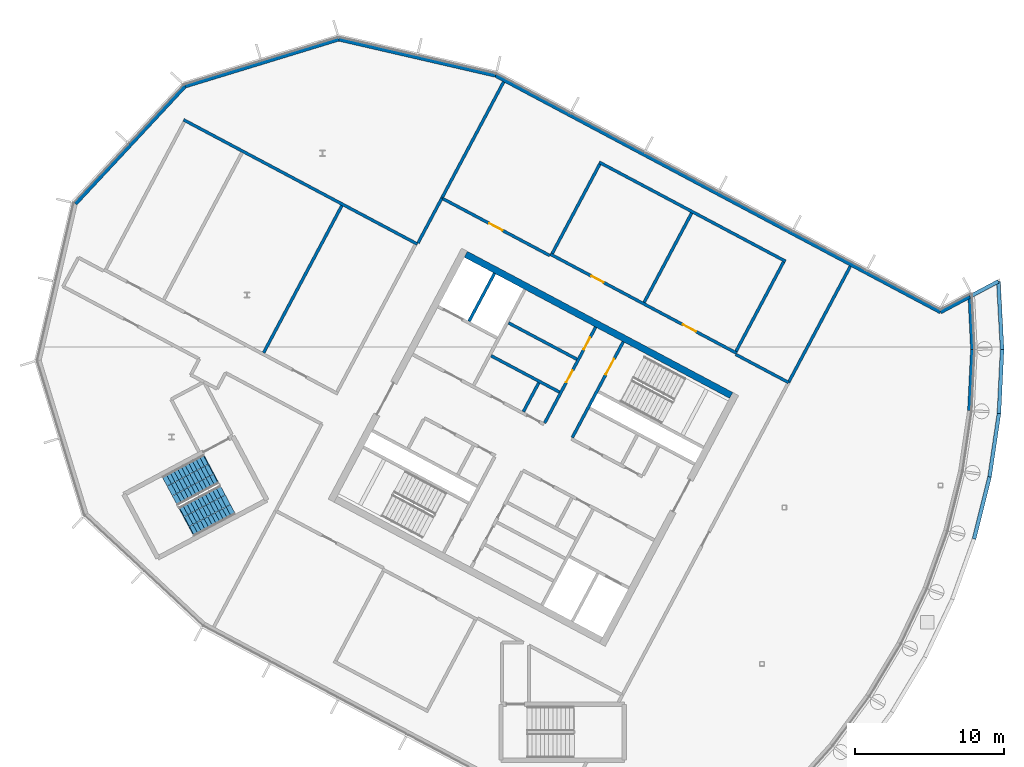
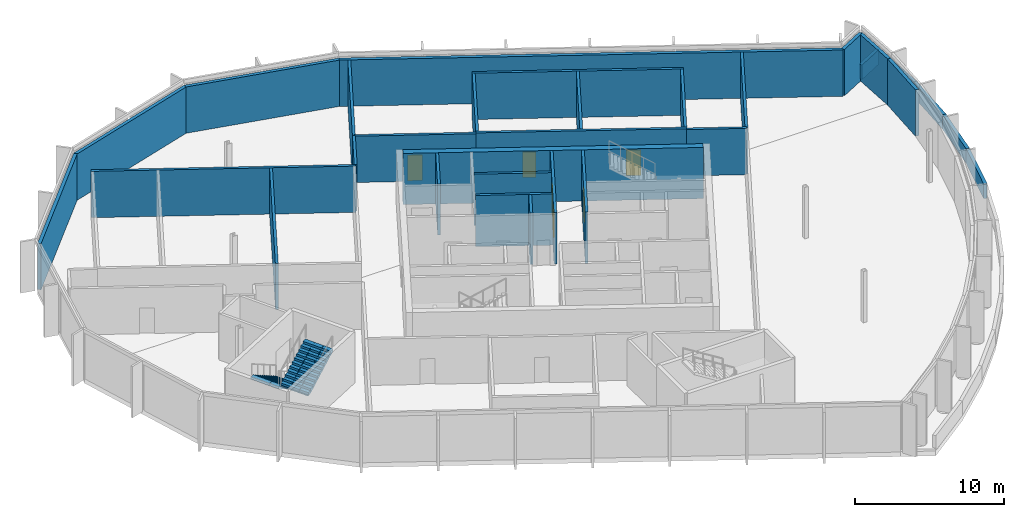
# One storey, part 8 of 15: 31 walls, 6 doors, 2 stair flights, 6 openings, 1 element without a shape of its own.
"""IFC4 building model written with IfcOpenShell, lengths in metres."""

import ifcopenshell
import ifcopenshell.guid

model = None  # the IFC model being written
_history = None  # IfcOwnerHistory: only IFC2X3 demands one
_inside = {}  # id of a spatial element -> (the spatial element, [elements in it])
_under = {}  # id of a project, library or spatial element -> (it, [spatial elements below it])
_declared = {}  # id of a project -> (the project, [libraries it declares])
_typed = {}  # id of a type object -> (the type object, [elements of that type])
_made_of = {}  # id of a material, layer set ... -> (it, [elements and type objects made of it])


def new_model(schema):
    """Start an empty IFC model of exactly this schema.

    Asked for "IFC4X3", IfcOpenShell would pick the latest addendum, in which some entities
    have other attributes; the version numbers below select the first issue.
    IFC2X3 requires an IfcOwnerHistory on every rooted entity: one is made here for all.
    """
    global model, _history
    if schema == "IFC4X3":
        model = ifcopenshell.file(schema_version=(4, 3, 0, 0))
    else:
        model = ifcopenshell.file(schema=schema)
    _inside.clear()
    _under.clear()
    _declared.clear()
    _typed.clear()
    _made_of.clear()
    _history = None
    if model.schema == "IFC2X3":
        org = make("IfcOrganization", Name="unknown")
        user = make(
            "IfcPersonAndOrganization",
            ThePerson=make("IfcPerson", FamilyName="unknown"),
            TheOrganization=org,
        )
        app = make(
            "IfcApplication",
            ApplicationDeveloper=org,
            Version="unknown",
            ApplicationFullName="unknown",
            ApplicationIdentifier="unknown",
        )
        _history = make(
            "IfcOwnerHistory",
            OwningUser=user,
            OwningApplication=app,
            ChangeAction="ADDED",
            CreationDate=0,
        )
    return model


def make(cls, **values):
    """One entity of the class cls with the attributes given. An attribute that is None is left unset."""
    return model.create_entity(
        cls, **{name: value for name, value in values.items() if value is not None}
    )


def rooted(cls, **values):
    """An entity with a GlobalId (a new one), such as an element, a storey or a relation."""
    return make(cls, GlobalId=ifcopenshell.guid.new(), OwnerHistory=_history, **values)


def si_unit(unit_type, name, prefix=None):
    """IfcSIUnit, for example si_unit("LENGTHUNIT", "METRE", prefix="MILLI")."""
    return make("IfcSIUnit", UnitType=unit_type, Prefix=prefix, Name=name)


def assignment(units):
    """IfcUnitAssignment: the units of a project."""
    return None if units is None else make("IfcUnitAssignment", Units=units)


def point(xyz):
    """IfcCartesianPoint."""
    return None if xyz is None else make("IfcCartesianPoint", Coordinates=xyz)


def direction(xyz):
    """IfcDirection."""
    return None if xyz is None else make("IfcDirection", DirectionRatios=xyz)


def frame(location, z_axis=None, x_axis=None):
    """IfcAxis2Placement3D, a coordinate frame: its origin and axes. An axis left out is left unset."""
    return make(
        "IfcAxis2Placement3D",
        Location=point(location),
        Axis=direction(z_axis),
        RefDirection=direction(x_axis),
    )


def frame_2d(location, x_axis=None):
    """IfcAxis2Placement2D, a coordinate frame in the plane: its origin and x axis."""
    return make(
        "IfcAxis2Placement2D", Location=point(location), RefDirection=direction(x_axis)
    )


def origin():
    """The frame at (0, 0, 0) with its axes left unset."""
    return frame((0.0, 0.0, 0.0))


def place(relative_to, where):
    """IfcLocalPlacement: puts the frame where relative to a parent placement (None: the world)."""
    return make(
        "IfcLocalPlacement", PlacementRelTo=relative_to, RelativePlacement=where
    )


def context(
    kind, dimensions, precision=None, world=None, true_north=None, identifier=None
):
    """IfcGeometricRepresentationContext, for example the 3D "Model" context."""
    return make(
        "IfcGeometricRepresentationContext",
        ContextIdentifier=identifier,
        ContextType=kind,
        CoordinateSpaceDimension=dimensions,
        Precision=precision,
        WorldCoordinateSystem=world,
        TrueNorth=true_north,
    )


def subcontext(parent, identifier, kind, view, scale=None):
    """IfcGeometricRepresentationSubContext, for example "Body" below "Model"."""
    return make(
        "IfcGeometricRepresentationSubContext",
        ContextIdentifier=identifier,
        ContextType=kind,
        ParentContext=parent,
        TargetScale=scale,
        TargetView=view,
    )


def project(units=None, contexts=None):
    """IfcProject with its units and contexts."""
    return rooted(
        "IfcProject",
        Name="project",
        RepresentationContexts=contexts,
        UnitsInContext=assignment(units),
    )


def spatial(cls, under=None, at=None, **own):
    """A site, building, storey or space (cls), placed at a placement, below another one or the project."""
    s = rooted(cls, ObjectPlacement=at, **own)
    if under is not None:
        _under.setdefault(under.id(), (under, []))[1].append(s)
    return s


def polyline(points):
    """IfcPolyline through the points."""
    return make("IfcPolyline", Points=[point(p) for p in points])


def profile(cls, at=None, kind="AREA", **sizes):
    """A parametric profile (cls). Its sizes go by their IFC names, for example OverallWidth=200.0."""
    return make(cls, ProfileType=kind, Position=at, **sizes)


def rectangle(**sizes):
    """IfcRectangleProfileDef."""
    return profile("IfcRectangleProfileDef", **sizes)


def outline(outer, holes=None, kind="AREA"):
    """IfcArbitraryClosedProfileDef: a profile drawn as a closed curve; with holes, ...WithVoids."""
    if holes is None:
        return make("IfcArbitraryClosedProfileDef", ProfileType=kind, OuterCurve=outer)
    return make(
        "IfcArbitraryProfileDefWithVoids",
        ProfileType=kind,
        OuterCurve=outer,
        InnerCurves=holes,
    )


def extrude(swept, where, along, depth):
    """IfcExtrudedAreaSolid: the profile swept, set in the frame where, extruded along a direction by depth."""
    return make(
        "IfcExtrudedAreaSolid",
        SweptArea=swept,
        Position=where,
        ExtrudedDirection=direction(along),
        Depth=depth,
    )


def shape(context_of_items, identifier, shape_type, items):
    """IfcShapeRepresentation: the items that make up one representation, for example the "Body"."""
    return make(
        "IfcShapeRepresentation",
        ContextOfItems=context_of_items,
        RepresentationIdentifier=identifier,
        RepresentationType=shape_type,
        Items=items,
    )


def material(Name=None, Category=None):
    """IfcMaterial."""
    return make("IfcMaterial", Name=Name, Category=Category)


def layer(
    of_material, thickness, ventilated=None, Name=None, Category=None, Priority=None
):
    """IfcMaterialLayer: one layer of a wall or slab, of a material (None: an air gap)."""
    return make(
        "IfcMaterialLayer",
        Material=of_material,
        LayerThickness=thickness,
        IsVentilated=ventilated,
        Name=Name,
        Category=Category,
        Priority=Priority,
    )


def layer_set(layers, Name=None):
    """IfcMaterialLayerSet."""
    return make("IfcMaterialLayerSet", MaterialLayers=layers, LayerSetName=Name)


def made_of(thing, what):
    """Note that an element or type object is made of a material, layer set ...; save() writes the relation."""
    if what is not None:
        _made_of.setdefault(what.id(), (what, []))[1].append(thing)
    return thing


def type_object(cls, material=None, **own):
    """A type object (cls), such as IfcWallType, which elements share."""
    return made_of(rooted(cls, **own), material)


def element(
    cls,
    number,
    at=None,
    inside=None,
    cuts=None,
    type_object=None,
    material=None,
    context=None,
    identifier="Body",
    shape_type=None,
    held_by="IfcProductDefinitionShape",
    body=None,
    shapes=None,
    **own,
):
    """One element of the class cls, such as IfcWall. Its Tag is "e" and its number.

    at: its placement. inside: the storey or other place that contains it. cuts: it is an
    opening in that element (IfcRelVoidsElement). A single representation is given by context,
    identifier, shape_type and body (its items); several are given by shapes. held_by: the class
    of the entity that holds the representations. save() writes the other relations.
    """
    e = rooted(cls, Tag="e%d" % number, ObjectPlacement=at, **own)
    if body is not None:
        shapes = [shape(context, identifier, shape_type, body)]
    if shapes is not None:
        e.Representation = make(held_by, Representations=shapes)
    if inside is not None:
        _inside.setdefault(inside.id(), (inside, []))[1].append(e)
    if cuts is not None:
        rooted(
            "IfcRelVoidsElement", RelatingBuildingElement=cuts, RelatedOpeningElement=e
        )
    if type_object is not None:
        _typed.setdefault(type_object.id(), (type_object, []))[1].append(e)
    return made_of(e, material)


def fill(opening, filler):
    """IfcRelFillsElement: the door or window that sits in an opening."""
    return rooted(
        "IfcRelFillsElement",
        RelatingOpeningElement=opening,
        RelatedBuildingElement=filler,
    )


def aggregate(whole, parts):
    """IfcRelAggregates: a whole, such as a stair, and the parts it consists of."""
    return rooted("IfcRelAggregates", RelatingObject=whole, RelatedObjects=parts)


def save(model, path):
    """Write the relations noted so far, then the file.

    IfcRelAggregates (storeys below a building ...), IfcRelContainedInSpatialStructure (elements
    in a storey), IfcRelDefinesByType, IfcRelAssociatesMaterial and IfcRelDeclares: one each for
    every whole, place, type object, material and project.
    """
    for whole, parts in _under.values():
        aggregate(whole, parts)
    for where, things in _inside.values():
        rooted(
            "IfcRelContainedInSpatialStructure",
            RelatedElements=things,
            RelatingStructure=where,
        )
    for kind, things in _typed.values():
        rooted("IfcRelDefinesByType", RelatedObjects=things, RelatingType=kind)
    for what, things in _made_of.values():
        rooted("IfcRelAssociatesMaterial", RelatedObjects=things, RelatingMaterial=what)
    for by, libraries in _declared.values():
        rooted("IfcRelDeclares", RelatingContext=by, RelatedDefinitions=libraries)
    model.write(path)


model = new_model("IFC4")

# Units and contexts
model_context = context("Model", 3, precision=1e-05, world=origin(), true_north=direction((0.0, 1.0)))
body_context = subcontext(model_context, "Body", "Model", "MODEL_VIEW")
ifc_project = project(units=[si_unit("LENGTHUNIT", "METRE"), si_unit("AREAUNIT", "SQUARE_METRE"), si_unit("VOLUMEUNIT", "CUBIC_METRE"), si_unit("PLANEANGLEUNIT", "RADIAN"), si_unit("MASSUNIT", "GRAM", prefix="KILO")], contexts=[model_context])

# Site, building, storey
site_placement = place(None, origin())
site = spatial("IfcSite", under=ifc_project, at=site_placement, CompositionType="ELEMENT")
building_placement = place(site_placement, origin())
building = spatial("IfcBuilding", under=site, at=building_placement, Name="Cormorant Relay Tower", CompositionType="ELEMENT")
storey_placement = place(building_placement, frame((0.0, 0.0, 336.60009765625)))
storey = spatial("IfcBuildingStorey", under=building, at=storey_placement, Name="C3", CompositionType="ELEMENT", Elevation=336.60009765625)

# Walls
ifc_material_1 = material(Name="Concrete 40 MPa", Category="concrete")
ifc_layer_1 = layer(ifc_material_1, 0.199951171875)
ifc_layer_set_1 = layer_set([ifc_layer_1], Name="Core internal wall 200")
wall_type_1 = type_object("IfcWallType", Name="Core internal wall 200", PredefinedType="SOLIDWALL", material=ifc_layer_set_1)
wall_1_placement = place(storey_placement, frame((-27.01220703125, 18.892822265625, 0.0), z_axis=(0.0, 0.0, 1.0), x_axis=(-0.4694473164, -0.882960484464, 0.0)))
element("IfcWall", 1, at=wall_1_placement, inside=storey, type_object=wall_type_1, Name="C3 core A shaft and room wall", PredefinedType="SOLIDWALL", context=body_context, shape_type="SweptSolid", body=[
    extrude(rectangle(XDim=2.199951171875, YDim=0.199951171875, at=frame_2d((1.10009765625, 0.0))), origin(), (0.0, 0.0, 1.0), 4.199951171875),
])
wall_2_placement = place(storey_placement, frame((-24.449462890625, 20.474853515625, 0.0), z_axis=(0.0, 0.0, 1.0), x_axis=(-0.882934506056, 0.469496174655, 0.0)))
element("IfcWall", 2, at=wall_2_placement, inside=storey, type_object=wall_type_1, Name="C3 core A shaft and room wall", PredefinedType="SOLIDWALL", context=body_context, shape_type="SweptSolid", body=[
    extrude(rectangle(XDim=5.199951171875, YDim=0.199951171875, at=frame_2d((2.60009765625, 0.0))), origin(), (0.0, 0.0, 1.0), 4.199951171875),
])

# Wall, opening, door
ifc_material_2 = material(Name="Concrete 50 MPa", Category="concrete")
ifc_layer_2 = layer(ifc_material_2, 0.199951171875)
ifc_layer_set_2 = layer_set([ifc_layer_2], Name="Core shaft wall 200")
wall_type_2 = type_object("IfcWallType", Name="Core shaft wall 200", PredefinedType="SHEAR", material=ifc_layer_set_2)
wall_3_placement = place(storey_placement, frame((-21.333251953125, 21.6494140625, 0.0), z_axis=(0.0, 0.0, 1.0), x_axis=(-0.469494272526, -0.882935517501, 0.0)))
wall_3 = element("IfcWall", 3, at=wall_3_placement, inside=storey, type_object=wall_type_2, Name="C3 core A shaft wall", PredefinedType="SHEAR", context=body_context, shape_type="SweptSolid", body=[
    extrude(rectangle(XDim=7.2998046875, YDim=0.199951171875, at=frame_2d((3.64990234375, 0.0))), origin(), (0.0, 0.0, 1.0), 4.199951171875),
])
opening_1_placement = place(wall_3_placement, frame((1.300048828125, 0.0, 0.0)))
opening_1 = element("IfcOpeningElement", 4, at=opening_1_placement, cuts=wall_3, Name="Opening CDB-044", PredefinedType="OPENING", context=body_context, shape_type="SweptSolid", body=[
    extrude(rectangle(XDim=1.199951171875, YDim=2.10009765625, at=frame_2d((0.60009765625, 1.050048828125))), frame((0.0, 0.10986328125, 0.0), z_axis=(0.0, -1.0, 0.0), x_axis=(1.0, 0.0, 0.0)), (0.0, 0.0, 1.0), 0.219970703125),
])
ifc_material_3 = material(Name="Steel fire door", Category="steel")
door_type_1 = type_object("IfcDoorType", Name="Core stair door 1200x2100", OperationType="SINGLE_SWING_LEFT", PredefinedType="DOOR", material=ifc_material_3)
door_1_placement = place(opening_1_placement, origin())
door_1 = element("IfcDoor", 5, at=door_1_placement, inside=storey, type_object=door_type_1, Name="Core stair door 1200x2100", OperationType="SINGLE_SWING_RIGHT", OverallHeight=2.10009765625, OverallWidth=1.199951171875, PredefinedType="DOOR", context=body_context, shape_type="SweptSolid", body=[
    extrude(rectangle(XDim=1.199951171875, YDim=2.10009765625, at=frame_2d((0.60009765625, 1.050048828125))), frame((0.0, 0.02490234375, 0.0), z_axis=(0.0, -1.0, 0.0), x_axis=(1.0, 0.0, 0.0)), (0.0, 0.0, 1.0), 0.050048828125),
])
fill(opening_1, door_1)

# Wall, openings, doors
wall_4_placement = place(storey_placement, frame((-23.1875, 22.635498046875, 0.0), z_axis=(0.0, 0.0, 1.0), x_axis=(-0.469454336211, -0.882956752176, 0.0)))
wall_4 = element("IfcWall", 6, at=wall_4_placement, inside=storey, type_object=wall_type_2, Name="C3 core A shaft wall", PredefinedType="SHEAR", context=body_context, shape_type="SweptSolid", body=[
    extrude(rectangle(XDim=7.300048828125, YDim=0.199951171875, at=frame_2d((3.64990234375, 0.0))), origin(), (0.0, 0.0, 1.0), 4.199951171875),
])
opening_2_placement = place(wall_4_placement, frame((0.800048828125, 0.0, 0.0)))
opening_2 = element("IfcOpeningElement", 7, at=opening_2_placement, cuts=wall_4, Name="Opening CDD-380", PredefinedType="OPENING", context=body_context, shape_type="SweptSolid", body=[
    extrude(rectangle(XDim=0.89990234375, YDim=2.10009765625, at=frame_2d((0.449951171875, 1.050048828125))), frame((0.0, 0.10986328125, 0.0), z_axis=(0.0, -1.0, 0.0), x_axis=(1.0, 0.0, 0.0)), (0.0, 0.0, 1.0), 0.219970703125),
])
opening_3_placement = place(wall_4_placement, frame((3.300048828125, 0.0, 0.0)))
opening_3 = element("IfcOpeningElement", 8, at=opening_3_placement, cuts=wall_4, Name="Opening CDD-381", PredefinedType="OPENING", context=body_context, shape_type="SweptSolid", body=[
    extrude(rectangle(XDim=0.89990234375, YDim=2.10009765625, at=frame_2d((0.449951171875, 1.050048828125))), frame((0.0, 0.10986328125, 0.0), z_axis=(0.0, -1.0, 0.0), x_axis=(1.0, 0.0, 0.0)), (0.0, 0.0, 1.0), 0.219970703125),
])
ifc_material_4 = material(Name="Steel fire door", Category="steel")
door_type_2 = type_object("IfcDoorType", Name="Core room door 900x2100", OperationType="SINGLE_SWING_LEFT", PredefinedType="DOOR", material=ifc_material_4)
door_2_placement = place(opening_2_placement, frame((0.89990234375, 0.0, 0.0), z_axis=(0.0, 0.0, 1.0), x_axis=(-1.0, 0.0, 0.0)))
door_2 = element("IfcDoor", 9, at=door_2_placement, inside=storey, type_object=door_type_2, Name="Core room door 900x2100", OperationType="SINGLE_SWING_LEFT", OverallHeight=2.10009765625, OverallWidth=0.89990234375, PredefinedType="DOOR", context=body_context, shape_type="SweptSolid", body=[
    extrude(rectangle(XDim=0.89990234375, YDim=2.10009765625, at=frame_2d((0.449951171875, 1.050048828125))), frame((0.0, 0.02490234375, 0.0), z_axis=(0.0, -1.0, 0.0), x_axis=(1.0, 0.0, 0.0)), (0.0, 0.0, 1.0), 0.050048828125),
])
fill(opening_2, door_2)
door_3_placement = place(opening_3_placement, frame((0.89990234375, 0.0, 0.0), z_axis=(0.0, 0.0, 1.0), x_axis=(-1.0, 0.0, 0.0)))
door_3 = element("IfcDoor", 10, at=door_3_placement, inside=storey, type_object=door_type_2, Name="Core room door 900x2100", OperationType="SINGLE_SWING_RIGHT", OverallHeight=2.10009765625, OverallWidth=0.89990234375, PredefinedType="DOOR", context=body_context, shape_type="SweptSolid", body=[
    extrude(rectangle(XDim=0.89990234375, YDim=2.10009765625, at=frame_2d((0.449951171875, 1.050048828125))), frame((0.0, 0.02490234375, 0.0), z_axis=(0.0, -1.0, 0.0), x_axis=(1.0, 0.0, 0.0)), (0.0, 0.0, 1.0), 0.050048828125),
])
fill(opening_3, door_3)

# Walls
wall_5_placement = place(storey_placement, frame((-29.986083984375, 26.250244140625, 0.0), z_axis=(0.0, 0.0, 1.0), x_axis=(-0.469494272526, -0.882935517501, 0.0)))
element("IfcWall", 11, at=wall_5_placement, inside=storey, type_object=wall_type_2, Name="C3 core A shaft wall", PredefinedType="SHEAR", context=body_context, shape_type="SweptSolid", body=[
    extrude(rectangle(XDim=3.64990234375, YDim=0.199951171875, at=frame_2d((1.824951171875, 0.0))), origin(), (0.0, 0.0, 1.0), 4.199951171875),
])
wall_6_placement = place(storey_placement, frame((-25.623046875, 18.267578125, 0.0), z_axis=(0.0, 0.0, 1.0), x_axis=(-0.882953967957, 0.469459572775, 0.0)))
element("IfcWall", 12, at=wall_6_placement, inside=storey, type_object=wall_type_2, Name="C3 core A shaft wall", PredefinedType="SHEAR", context=body_context, shape_type="SweptSolid", body=[
    extrude(rectangle(XDim=5.199951171875, YDim=0.199951171875, at=frame_2d((2.60009765625, 0.0))), origin(), (0.0, 0.0, 1.0), 4.199951171875),
])
ifc_material_5 = material(Name="Concrete 50 MPa", Category="concrete")
ifc_layer_3 = layer(ifc_material_5, 0.449951171875)
ifc_layer_set_3 = layer_set([ifc_layer_3], Name="Core wall 450")
wall_type_3 = type_object("IfcWallType", Name="Core wall 450", PredefinedType="SHEAR", material=ifc_layer_set_3)
wall_7_placement = place(storey_placement, frame((-14.07568359375, 18.04541015625, 0.0), z_axis=(0.0, 0.0, 1.0), x_axis=(-0.882947755831, 0.46947125628, 0.0)))
element("IfcWall", 13, at=wall_7_placement, inside=storey, type_object=wall_type_3, Name="C3 core A wall", PredefinedType="SHEAR", context=body_context, shape_type="SweptSolid", body=[
    extrude(rectangle(XDim=20.2001953125, YDim=0.449951171875, at=frame_2d((10.10009765625, 0.0))), origin(), (0.0, 0.0, 1.0), 4.199951171875),
])
ifc_material_6 = material(Name="Concrete 30 MPa block wall", Category="concrete")
ifc_layer_4 = layer(ifc_material_6, 0.199951171875)
ifc_layer_set_4 = layer_set([ifc_layer_4], Name="Crown plant room wall 200")
wall_type_4 = type_object("IfcWallType", Name="Crown plant room wall 200", PredefinedType="PARTITIONING", material=ifc_layer_set_4)
wall_8_placement = place(storey_placement, frame((-10.41650390625, 27.057373046875, 0.0), z_axis=(0.0, 0.0, 1.0), x_axis=(-0.882947150019, 0.469472395646, 0.0)))
element("IfcWall", 14, at=wall_8_placement, inside=storey, type_object=wall_type_4, Name="Plant room wall", PredefinedType="PARTITIONING", context=body_context, shape_type="SweptSolid", body=[
    extrude(rectangle(XDim=14.199951171875, YDim=0.199951171875, at=frame_2d((7.10009765625, 0.0))), origin(), (0.0, 0.0, 1.0), 3.7998046875),
])

# Wall, openings, doors
wall_9_placement = place(storey_placement, frame((-13.702880859375, 20.876708984375, 0.0), z_axis=(0.0, 0.0, 1.0), x_axis=(-0.882947150019, 0.469472395646, 0.0)))
wall_9 = element("IfcWall", 15, at=wall_9_placement, inside=storey, type_object=wall_type_4, Name="Plant room wall", PredefinedType="PARTITIONING", context=body_context, shape_type="SweptSolid", body=[
    extrude(rectangle(XDim=14.199951171875, YDim=0.199951171875, at=frame_2d((7.10009765625, 0.0))), origin(), (0.0, 0.0, 1.0), 3.7998046875),
])
opening_4_placement = place(wall_9_placement, frame((3.10009765625, 0.0, 0.0)))
opening_4 = element("IfcOpeningElement", 16, at=opening_4_placement, cuts=wall_9, Name="Opening CRD1-014", PredefinedType="OPENING", context=body_context, shape_type="SweptSolid", body=[
    extrude(rectangle(XDim=1.0, YDim=2.10009765625, at=frame_2d((0.5, 1.050048828125))), frame((0.0, 0.10986328125, 0.0), z_axis=(0.0, -1.0, 0.0), x_axis=(1.0, 0.0, 0.0)), (0.0, 0.0, 1.0), 0.219970703125),
])
opening_5_placement = place(wall_9_placement, frame((10.14990234375, 0.0, 0.0)))
opening_5 = element("IfcOpeningElement", 17, at=opening_5_placement, cuts=wall_9, Name="Opening CRD4-002", PredefinedType="OPENING", context=body_context, shape_type="SweptSolid", body=[
    extrude(rectangle(XDim=0.89990234375, YDim=2.10009765625, at=frame_2d((0.449951171875, 1.050048828125))), frame((0.0, 0.10986328125, 0.0), z_axis=(0.0, -1.0, 0.0), x_axis=(1.0, 0.0, 0.0)), (0.0, 0.0, 1.0), 0.219970703125),
])
ifc_material_7 = material(Name="Galvanised sheet steel ASTM A653 framed door leaf", Category="steel")
door_type_3 = type_object("IfcDoorType", Name="Crown door single 1000", OperationType="SINGLE_SWING_LEFT", PredefinedType="DOOR", material=ifc_material_7)
door_4_placement = place(opening_4_placement, frame((1.0, 0.0, 0.0), z_axis=(0.0, 0.0, 1.0), x_axis=(-1.0, 0.0, 0.0)))
door_4 = element("IfcDoor", 18, at=door_4_placement, inside=storey, type_object=door_type_3, Name="Electrical riser room door", OperationType="SINGLE_SWING_RIGHT", OverallHeight=2.10009765625, OverallWidth=1.0, PredefinedType="DOOR", context=body_context, shape_type="SweptSolid", body=[
    extrude(rectangle(XDim=1.0, YDim=2.10009765625, at=frame_2d((0.5, 1.050048828125))), frame((0.0, 0.02490234375, 0.0), z_axis=(0.0, -1.0, 0.0), x_axis=(1.0, 0.0, 0.0)), (0.0, 0.0, 1.0), 0.050048828125),
])
fill(opening_4, door_4)
ifc_material_8 = material(Name="Galvanised sheet steel ASTM A653 framed door leaf", Category="steel")
door_type_4 = type_object("IfcDoorType", Name="Crown door single 900", OperationType="SINGLE_SWING_LEFT", PredefinedType="DOOR", material=ifc_material_8)
door_5_placement = place(opening_5_placement, frame((0.89990234375, 0.0, 0.0), z_axis=(0.0, 0.0, 1.0), x_axis=(-1.0, 0.0, 0.0)))
door_5 = element("IfcDoor", 19, at=door_5_placement, inside=storey, type_object=door_type_4, Name="Pump room door", OperationType="SINGLE_SWING_RIGHT", OverallHeight=2.10009765625, OverallWidth=0.89990234375, PredefinedType="DOOR", context=body_context, shape_type="SweptSolid", body=[
    extrude(rectangle(XDim=0.89990234375, YDim=2.10009765625, at=frame_2d((0.449951171875, 1.050048828125))), frame((0.0, 0.02490234375, 0.0), z_axis=(0.0, -1.0, 0.0), x_axis=(1.0, 0.0, 0.0)), (0.0, 0.0, 1.0), 0.050048828125),
])
fill(opening_5, door_5)

# Walls
wall_10_placement = place(storey_placement, frame((-35.1708984375, 28.21435546875, 0.0), z_axis=(0.0, 0.0, 1.0), x_axis=(-0.882952110828, 0.469463065622, 0.0)))
element("IfcWall", 20, at=wall_10_placement, inside=storey, type_object=wall_type_4, Name="Plant room wall", PredefinedType="PARTITIONING", context=body_context, shape_type="SweptSolid", body=[
    extrude(rectangle(XDim=17.800048828125, YDim=0.199951171875, at=frame_2d((8.89990234375, 0.0))), origin(), (0.0, 0.0, 1.0), 3.7998046875),
])
for number, where, z_axis, x_axis, name in (
    (21, (-10.5517578125, 27.01611328125, 0.0), (0.0, 0.0, 1.0), (-0.469462324734, -0.882952504756, 0.0), "Plant room wall"),
    (22, (-16.732421875, 30.302490234375, 0.0), (0.0, 0.0, 1.0), (-0.469462324734, -0.882952504756, 0.0), "Plant room wall"),
):
    element("IfcWall", number, at=place(storey_placement, frame(where, z_axis=z_axis, x_axis=x_axis)), inside=storey, type_object=wall_type_4, Name=name, PredefinedType="PARTITIONING", context=body_context, shape_type="SweptSolid", body=[
        extrude(rectangle(XDim=6.800048828125, YDim=0.199951171875, at=frame_2d((3.39990234375, 0.0))), origin(), (0.0, 0.0, 1.0), 3.7998046875),
    ])
wall_11_placement = place(storey_placement, frame((-22.9130859375, 33.588623046875, 0.0), z_axis=(0.0, 0.0, 1.0), x_axis=(-0.469477207229, -0.882944591632, 0.0)))
element("IfcWall", 23, at=wall_11_placement, inside=storey, type_object=wall_type_4, Name="Plant room wall", PredefinedType="PARTITIONING", context=body_context, shape_type="SweptSolid", body=[
    extrude(rectangle(XDim=6.7998046875, YDim=0.199951171875, at=frame_2d((3.39990234375, 0.0))), origin(), (0.0, 0.0, 1.0), 3.7998046875),
])
wall_12_placement = place(storey_placement, frame((-40.250732421875, 30.802001953125, 0.0), z_axis=(0.0, 0.0, 1.0), x_axis=(-0.469473423128, -0.882946603695, 0.0)))
element("IfcWall", 24, at=wall_12_placement, inside=storey, type_object=wall_type_4, Name="Plant room wall", PredefinedType="PARTITIONING", context=body_context, shape_type="SweptSolid", body=[
    extrude(rectangle(XDim=11.199951171875, YDim=0.199951171875, at=frame_2d((5.60009765625, 0.0))), origin(), (0.0, 0.0, 1.0), 3.7998046875),
])
wall_13_placement = place(storey_placement, frame((-35.13330078125, 28.284912109375, 0.0), z_axis=(0.0, 0.0, 1.0), x_axis=(0.469431829014, 0.882968718533, 0.0)))
element("IfcWall", 25, at=wall_13_placement, inside=storey, type_object=wall_type_4, Name="Plant room wall", PredefinedType="PARTITIONING", context=body_context, shape_type="SweptSolid", body=[
    extrude(rectangle(XDim=3.419921875, YDim=0.199951171875, at=frame_2d((1.7099609375, 0.0))), origin(), (0.0, 0.0, 1.0), 3.7998046875),
])

# Wall, opening, door
wall_14_placement = place(storey_placement, frame((-33.52783203125, 31.3046875, 0.0), z_axis=(0.0, 0.0, 1.0), x_axis=(0.882943382095, -0.469479481996, 0.0)))
wall_14 = element("IfcWall", 26, at=wall_14_placement, inside=storey, type_object=wall_type_4, Name="Plant room wall", PredefinedType="PARTITIONING", context=body_context, shape_type="SweptSolid", body=[
    extrude(rectangle(XDim=8.219970703125, YDim=0.199951171875, at=frame_2d((4.10986328125, 0.0))), origin(), (0.0, 0.0, 1.0), 3.7998046875),
])
opening_6_placement = place(wall_14_placement, frame((3.610107421875, 0.0, 0.0)))
opening_6 = element("IfcOpeningElement", 27, at=opening_6_placement, cuts=wall_14, Name="Opening CRD1-010", PredefinedType="OPENING", context=body_context, shape_type="SweptSolid", body=[
    extrude(rectangle(XDim=1.0, YDim=2.10009765625, at=frame_2d((0.5, 1.050048828125))), frame((0.0, 0.10986328125, 0.0), z_axis=(0.0, -1.0, 0.0), x_axis=(1.0, 0.0, 0.0)), (0.0, 0.0, 1.0), 0.219970703125),
])
door_6_placement = place(opening_6_placement, origin())
door_6 = element("IfcDoor", 28, at=door_6_placement, inside=storey, type_object=door_type_3, Name="Maintenance workshop door", OperationType="SINGLE_SWING_RIGHT", OverallHeight=2.10009765625, OverallWidth=1.0, PredefinedType="DOOR", context=body_context, shape_type="SweptSolid", body=[
    extrude(rectangle(XDim=1.0, YDim=2.10009765625, at=frame_2d((0.5, 1.050048828125))), frame((0.0, 0.02490234375, 0.0), z_axis=(0.0, -1.0, 0.0), x_axis=(1.0, 0.0, 0.0)), (0.0, 0.0, 1.0), 0.050048828125),
])
fill(opening_6, door_6)

# Walls
wall_15_placement = place(storey_placement, frame((-13.767578125, 20.7978515625, 0.0), z_axis=(0.0, 0.0, 1.0), x_axis=(0.882960769226, -0.469446780805, 0.0)))
element("IfcWall", 29, at=wall_15_placement, inside=storey, type_object=wall_type_4, Name="Plant room wall", PredefinedType="PARTITIONING", context=body_context, shape_type="SweptSolid", body=[
    extrude(rectangle(XDim=4.02001953125, YDim=0.199951171875, at=frame_2d((2.010009765625, 0.0))), origin(), (0.0, 0.0, 1.0), 3.7998046875),
])
wall_16_placement = place(storey_placement, frame((-29.3740234375, 39.119140625, 0.0), z_axis=(0.0, 0.0, 1.0), x_axis=(-0.469467804358, -0.88294959124, 0.0)))
element("IfcWall", 30, at=wall_16_placement, inside=storey, type_object=wall_type_4, Name="Plant room wall", PredefinedType="PARTITIONING", context=body_context, shape_type="SweptSolid", body=[
    extrude(rectangle(XDim=8.86962890625, YDim=0.199951171875, at=frame_2d((4.434814453125, 0.0))), origin(), (0.0, 0.0, 1.0), 3.7998046875),
])
wall_17_placement = place(storey_placement, frame((-6.064208984375, 26.72509765625, 0.0), z_axis=(0.0, 0.0, 1.0), x_axis=(-0.469473884002, -0.882946358642, 0.0)))
element("IfcWall", 31, at=wall_17_placement, inside=storey, type_object=wall_type_4, Name="Plant room wall", PredefinedType="PARTITIONING", context=body_context, shape_type="SweptSolid", body=[
    extrude(rectangle(XDim=8.849853515625, YDim=0.199951171875, at=frame_2d((4.4248046875, 0.0))), origin(), (0.0, 0.0, 1.0), 3.7998046875),
])
ifc_material_9 = material(Name="Bronze cladding on Concrete 30 MPa block wall", Category="concrete")
ifc_layer_5 = layer(ifc_material_9, 0.25)
ifc_layer_set_5 = layer_set([ifc_layer_5], Name="Crown wall 250")
wall_type_5 = type_object("IfcWallType", Name="Crown wall 250", PredefinedType="STANDARD", material=ifc_layer_set_5)
wall_18_placement = place(storey_placement, frame((-58.160400390625, 30.92431640625, 0.0), z_axis=(0.0, 0.0, 1.0), x_axis=(0.681998532518, 0.731353540802, 0.0)))
element("IfcWall", 32, at=wall_18_placement, inside=storey, type_object=wall_type_5, Name="Crown wall C3", PredefinedType="STANDARD", context=body_context, shape_type="SweptSolid", body=[
    extrude(rectangle(XDim=10.803466796875, YDim=0.25, at=frame_2d((5.40185546875, 0.0))), origin(), (0.0, 0.0, 1.0), 3.7998046875),
])
wall_19_placement = place(storey_placement, frame((-50.79248046875, 38.825439453125, 0.0), z_axis=(0.0, 0.0, 1.0), x_axis=(0.95630419349, 0.292373544482, 0.0)))
element("IfcWall", 33, at=wall_19_placement, inside=storey, type_object=wall_type_5, Name="Crown wall C3", PredefinedType="STANDARD", context=body_context, shape_type="SweptSolid", body=[
    extrude(rectangle(XDim=10.8037109375, YDim=0.25, at=frame_2d((5.40185546875, 0.0))), origin(), (0.0, 0.0, 1.0), 3.7998046875),
])
wall_20_placement = place(storey_placement, frame((-40.4609375, 41.984130859375, 0.0), z_axis=(0.0, 0.0, 1.0), x_axis=(0.974369134847, -0.224955082309, 0.0)))
element("IfcWall", 34, at=wall_20_placement, inside=storey, type_object=wall_type_5, Name="Crown wall C3", PredefinedType="STANDARD", context=body_context, shape_type="SweptSolid", body=[
    extrude(rectangle(XDim=10.8203125, YDim=0.25, at=frame_2d((5.41015625, 0.0))), origin(), (0.0, 0.0, 1.0), 3.7998046875),
])
wall_21_placement = place(storey_placement, frame((-29.91796875, 39.550048828125, 0.0), z_axis=(0.0, 0.0, 1.0), x_axis=(0.882946997297, -0.469472682872, 0.0)))
element("IfcWall", 35, at=wall_21_placement, inside=storey, type_object=wall_type_5, Name="Crown wall C3", PredefinedType="STANDARD", context=body_context, shape_type="SweptSolid", body=[
    extrude(rectangle(XDim=33.88427734375, YDim=0.25, at=frame_2d((16.942138671875, 0.0))), origin(), (0.0, 0.0, 1.0), 3.7998046875),
])
wall_22_placement = place(storey_placement, frame((0.0, 23.642333984375, 0.0), z_axis=(0.0, 0.0, 1.0), x_axis=(0.882925545342, 0.469513025787, 0.0)))
element("IfcWall", 36, at=wall_22_placement, inside=storey, type_object=wall_type_5, Name="Crown wall C3", PredefinedType="STANDARD", context=body_context, shape_type="SweptSolid", body=[
    extrude(rectangle(XDim=2.22802734375, YDim=0.25, at=frame_2d((1.114013671875, 0.0))), origin(), (0.0, 0.0, 1.0), 3.7998046875),
])
wall_23_placement = place(storey_placement, frame((1.96728515625, 24.6884765625, 0.0), z_axis=(0.0, 0.0, 1.0), x_axis=(0.049012370013, -0.998798171597, 0.0)))
element("IfcWall", 37, at=wall_23_placement, inside=storey, type_object=wall_type_5, Name="Crown wall C3", PredefinedType="STANDARD", context=body_context, shape_type="SweptSolid", body=[
    extrude(rectangle(XDim=3.566650390625, YDim=0.25, at=frame_2d((1.783203125, 0.0))), origin(), (0.0, 0.0, 1.0), 3.7998046875),
])
wall_24_placement = place(storey_placement, frame((2.14208984375, 21.126220703125, 0.0), z_axis=(0.0, 0.0, 1.0), x_axis=(-0.04901311334, -0.998798135121, 0.0)))
element("IfcWall", 38, at=wall_24_placement, inside=storey, type_object=wall_type_5, Name="Crown wall C3", PredefinedType="STANDARD", context=body_context, shape_type="SweptSolid", body=[
    extrude(rectangle(XDim=4.109375, YDim=0.25, at=frame_2d((2.0546875, 0.0))), origin(), (0.0, 0.0, 1.0), 3.7998046875),
])
ifc_material_10 = material(Name="Bronze cladding on Concrete 30 MPa block wall", Category="concrete")
ifc_layer_6 = layer(ifc_material_10, 0.25)
ifc_layer_set_6 = layer_set([ifc_layer_6], Name="Parapet 250")
wall_type_6 = type_object("IfcWallType", Name="Parapet 250", PredefinedType="PARAPET", material=ifc_layer_set_6)
wall_25_placement = place(storey_placement, frame((1.96728515625, 24.6884765625, 0.0), z_axis=(0.0, 0.0, 1.0), x_axis=(0.882951542364, 0.469464134772, 0.0)))
element("IfcWall", 39, at=wall_25_placement, inside=storey, type_object=wall_type_6, Name="Terrace parapet C2", PredefinedType="PARAPET", context=body_context, shape_type="SweptSolid", body=[
    extrude(rectangle(XDim=2.17626953125, YDim=0.25, at=frame_2d((1.088134765625, 0.0))), origin(), (0.0, 0.0, 1.0), 1.199951171875),
])
wall_26_placement = place(storey_placement, frame((3.888916015625, 25.710205078125, 0.0), z_axis=(0.0, 0.0, 1.0), x_axis=(0.055146037313, -0.998478299498, 0.0)))
element("IfcWall", 40, at=wall_26_placement, inside=storey, type_object=wall_type_6, Name="Terrace parapet C2", PredefinedType="PARAPET", context=body_context, shape_type="SweptSolid", body=[
    extrude(rectangle(XDim=4.591064453125, YDim=0.25, at=frame_2d((2.29541015625, 0.0))), origin(), (0.0, 0.0, 1.0), 1.199951171875),
])
for number, where, z_axis, x_axis, name in (
    (41, (4.14208984375, 21.126220703125, 0.0), (0.0, 0.0, 1.0), (-0.049046775901, -0.99879648266, 0.0), "Terrace parapet C2"),
    (42, (3.930908203125, 16.82568359375, 0.0), (0.0, 0.0, 1.0), (-0.14669045494, -0.989182445472, 0.0), "Terrace parapet C2"),
):
    element("IfcWall", number, at=place(storey_placement, frame(where, z_axis=z_axis, x_axis=x_axis)), inside=storey, type_object=wall_type_6, Name=name, PredefinedType="PARAPET", context=body_context, shape_type="SweptSolid", body=[
        extrude(rectangle(XDim=4.3056640625, YDim=0.25, at=frame_2d((2.15283203125, 0.0))), origin(), (0.0, 0.0, 1.0), 1.199951171875),
    ])
wall_27_placement = place(storey_placement, frame((3.29931640625, 12.566650390625, 0.0), z_axis=(0.0, 0.0, 1.0), x_axis=(-0.24301587703, -0.970022310832, 0.0)))
element("IfcWall", 43, at=wall_27_placement, inside=storey, type_object=wall_type_6, Name="Terrace parapet C2", PredefinedType="PARAPET", context=body_context, shape_type="SweptSolid", body=[
    extrude(rectangle(XDim=4.305908203125, YDim=0.25, at=frame_2d((2.15283203125, 0.0))), origin(), (0.0, 0.0, 1.0), 1.199951171875),
])

# Stair, stair flights
ifc_material_11 = material(Name="Concrete 40 MPa", Category="concrete")
stair_type = type_object("IfcStairType", Name="Remote exit stair 2200", PredefinedType="HALF_TURN_STAIR", material=ifc_material_11)
stair_placement = place(storey_placement, origin())
stair = element("IfcStair", 44, at=stair_placement, inside=storey, type_object=stair_type, Name="C3 Stair", PredefinedType="HALF_TURN_STAIR")
ifc_material_12 = material(Name="Concrete 40 MPa", Category="concrete")
stair_flight_type = type_object("IfcStairFlightType", Name="Remote exit stair flight 2200", PredefinedType="STRAIGHT", material=ifc_material_12)
stair_flight_1_placement = place(storey_placement, frame((-49.062255859375, 13.08251953125, 0.0), z_axis=(0.0, 0.0, 1.0), x_axis=(-0.882947502727, -0.4694717323, 0.0)))
stair_flight_1 = element("IfcStairFlight", 45, at=stair_flight_1_placement, type_object=stair_flight_type, Name="RP1 flight 1", NumberOfRisers=12, NumberOfTreads=11, PredefinedType="STRAIGHT", RiserHeight=0.175, TreadLength=0.28, context=body_context, shape_type="SweptSolid", body=[
    extrude(outline(polyline([(-0.050048828125, -0.080078125), (-0.050048828125, 0.0), (0.0, 0.0), (0.0, 0.175048828125), (0.280029296875, 0.175048828125), (0.280029296875, 0.35009765625), (0.56005859375, 0.35009765625), (0.56005859375, 0.52490234375), (0.840087890625, 0.52490234375), (0.840087890625, 0.699951171875), (1.1201171875, 0.699951171875), (1.1201171875, 0.875), (1.39990234375, 0.875), (1.39990234375, 1.050048828125), (1.679931640625, 1.050048828125), (1.679931640625, 1.22509765625), (1.9599609375, 1.22509765625), (1.9599609375, 1.39990234375), (2.239990234375, 1.39990234375), (2.239990234375, 1.574951171875), (2.52001953125, 1.574951171875), (2.52001953125, 1.75), (2.800048828125, 1.75), (2.800048828125, 1.925048828125), (3.080078125, 1.925048828125), (3.130126953125, 1.925048828125), (3.130126953125, 1.748291015625), (3.080078125, 1.748291015625), (0.28271484375, 0.0), (-0.050048828125, -0.080078125)])), frame((0.0, 1.10009765625, 0.0), z_axis=(0.0, -1.0, 0.0), x_axis=(1.0, 0.0, 0.0)), (0.0, 0.0, 1.0), 0.719970703125),
    extrude(outline(polyline([(-0.050048828125, -0.080078125), (-0.050048828125, 0.0), (0.0, 0.0), (0.0, 0.175048828125), (0.280029296875, 0.175048828125), (0.280029296875, 0.35009765625), (0.56005859375, 0.35009765625), (0.56005859375, 0.52490234375), (0.840087890625, 0.52490234375), (0.840087890625, 0.699951171875), (1.1201171875, 0.699951171875), (1.1201171875, 0.875), (1.39990234375, 0.875), (1.39990234375, 1.050048828125), (1.679931640625, 1.050048828125), (1.679931640625, 1.22509765625), (1.9599609375, 1.22509765625), (1.9599609375, 1.39990234375), (2.239990234375, 1.39990234375), (2.239990234375, 1.574951171875), (2.52001953125, 1.574951171875), (2.52001953125, 1.75), (2.800048828125, 1.75), (2.800048828125, 1.925048828125), (3.080078125, 1.925048828125), (3.130126953125, 1.925048828125), (3.130126953125, 1.748291015625), (3.080078125, 1.748291015625), (0.28271484375, 0.0), (-0.050048828125, -0.080078125)])), frame((0.0, 0.360107421875, 0.0), z_axis=(0.0, -1.0, 0.0), x_axis=(1.0, 0.0, 0.0)), (0.0, 0.0, 1.0), 0.719970703125),
    extrude(outline(polyline([(-0.050048828125, -0.080078125), (-0.050048828125, 0.0), (0.0, 0.0), (0.0, 0.175048828125), (0.280029296875, 0.175048828125), (0.280029296875, 0.35009765625), (0.56005859375, 0.35009765625), (0.56005859375, 0.52490234375), (0.840087890625, 0.52490234375), (0.840087890625, 0.699951171875), (1.1201171875, 0.699951171875), (1.1201171875, 0.875), (1.39990234375, 0.875), (1.39990234375, 1.050048828125), (1.679931640625, 1.050048828125), (1.679931640625, 1.22509765625), (1.9599609375, 1.22509765625), (1.9599609375, 1.39990234375), (2.239990234375, 1.39990234375), (2.239990234375, 1.574951171875), (2.52001953125, 1.574951171875), (2.52001953125, 1.75), (2.800048828125, 1.75), (2.800048828125, 1.925048828125), (3.080078125, 1.925048828125), (3.130126953125, 1.925048828125), (3.130126953125, 1.748291015625), (3.080078125, 1.748291015625), (0.28271484375, 0.0), (-0.050048828125, -0.080078125)])), frame((0.0, -0.3798828125, 0.0), z_axis=(0.0, -1.0, 0.0), x_axis=(1.0, 0.0, 0.0)), (0.0, 0.0, 1.0), 0.719970703125),
])
stair_flight_2_placement = place(storey_placement, frame((-50.678466796875, 9.5615234375, 2.099853515625), z_axis=(0.0, 0.0, 1.0), x_axis=(0.882947502727, 0.4694717323, 0.0)))
stair_flight_2 = element("IfcStairFlight", 46, at=stair_flight_2_placement, type_object=stair_flight_type, Name="RP1 flight 2", NumberOfRisers=12, NumberOfTreads=11, PredefinedType="STRAIGHT", RiserHeight=0.175, TreadLength=0.28, context=body_context, shape_type="SweptSolid", body=[
    extrude(outline(polyline([(-0.050048828125, -0.080078125), (-0.050048828125, 0.0), (0.0, 0.0), (0.0, 0.175048828125), (0.280029296875, 0.175048828125), (0.280029296875, 0.35009765625), (0.56005859375, 0.35009765625), (0.56005859375, 0.52490234375), (0.840087890625, 0.52490234375), (0.840087890625, 0.699951171875), (1.1201171875, 0.699951171875), (1.1201171875, 0.875), (1.39990234375, 0.875), (1.39990234375, 1.050048828125), (1.679931640625, 1.050048828125), (1.679931640625, 1.22509765625), (1.9599609375, 1.22509765625), (1.9599609375, 1.39990234375), (2.239990234375, 1.39990234375), (2.239990234375, 1.574951171875), (2.52001953125, 1.574951171875), (2.52001953125, 1.75), (2.800048828125, 1.75), (2.800048828125, 1.925048828125), (3.080078125, 1.925048828125), (3.130126953125, 1.925048828125), (3.130126953125, 1.748291015625), (3.080078125, 1.748291015625), (0.28271484375, 0.0), (-0.050048828125, -0.080078125)])), frame((0.0, 1.10009765625, 0.0), z_axis=(0.0, -1.0, 0.0), x_axis=(1.0, 0.0, 0.0)), (0.0, 0.0, 1.0), 0.719970703125),
    extrude(outline(polyline([(-0.050048828125, -0.080078125), (-0.050048828125, 0.0), (0.0, 0.0), (0.0, 0.175048828125), (0.280029296875, 0.175048828125), (0.280029296875, 0.35009765625), (0.56005859375, 0.35009765625), (0.56005859375, 0.52490234375), (0.840087890625, 0.52490234375), (0.840087890625, 0.699951171875), (1.1201171875, 0.699951171875), (1.1201171875, 0.875), (1.39990234375, 0.875), (1.39990234375, 1.050048828125), (1.679931640625, 1.050048828125), (1.679931640625, 1.22509765625), (1.9599609375, 1.22509765625), (1.9599609375, 1.39990234375), (2.239990234375, 1.39990234375), (2.239990234375, 1.574951171875), (2.52001953125, 1.574951171875), (2.52001953125, 1.75), (2.800048828125, 1.75), (2.800048828125, 1.925048828125), (3.080078125, 1.925048828125), (3.130126953125, 1.925048828125), (3.130126953125, 1.748291015625), (3.080078125, 1.748291015625), (0.28271484375, 0.0), (-0.050048828125, -0.080078125)])), frame((0.0, 0.360107421875, 0.0), z_axis=(0.0, -1.0, 0.0), x_axis=(1.0, 0.0, 0.0)), (0.0, 0.0, 1.0), 0.719970703125),
    extrude(outline(polyline([(-0.050048828125, -0.080078125), (-0.050048828125, 0.0), (0.0, 0.0), (0.0, 0.175048828125), (0.280029296875, 0.175048828125), (0.280029296875, 0.35009765625), (0.56005859375, 0.35009765625), (0.56005859375, 0.52490234375), (0.840087890625, 0.52490234375), (0.840087890625, 0.699951171875), (1.1201171875, 0.699951171875), (1.1201171875, 0.875), (1.39990234375, 0.875), (1.39990234375, 1.050048828125), (1.679931640625, 1.050048828125), (1.679931640625, 1.22509765625), (1.9599609375, 1.22509765625), (1.9599609375, 1.39990234375), (2.239990234375, 1.39990234375), (2.239990234375, 1.574951171875), (2.52001953125, 1.574951171875), (2.52001953125, 1.75), (2.800048828125, 1.75), (2.800048828125, 1.925048828125), (3.080078125, 1.925048828125), (3.130126953125, 1.925048828125), (3.130126953125, 1.748291015625), (3.080078125, 1.748291015625), (0.28271484375, 0.0), (-0.050048828125, -0.080078125)])), frame((0.0, -0.3798828125, 0.0), z_axis=(0.0, -1.0, 0.0), x_axis=(1.0, 0.0, 0.0)), (0.0, 0.0, 1.0), 0.719970703125),
])
aggregate(stair, [stair_flight_1, stair_flight_2])

save(model, "model.ifc")
